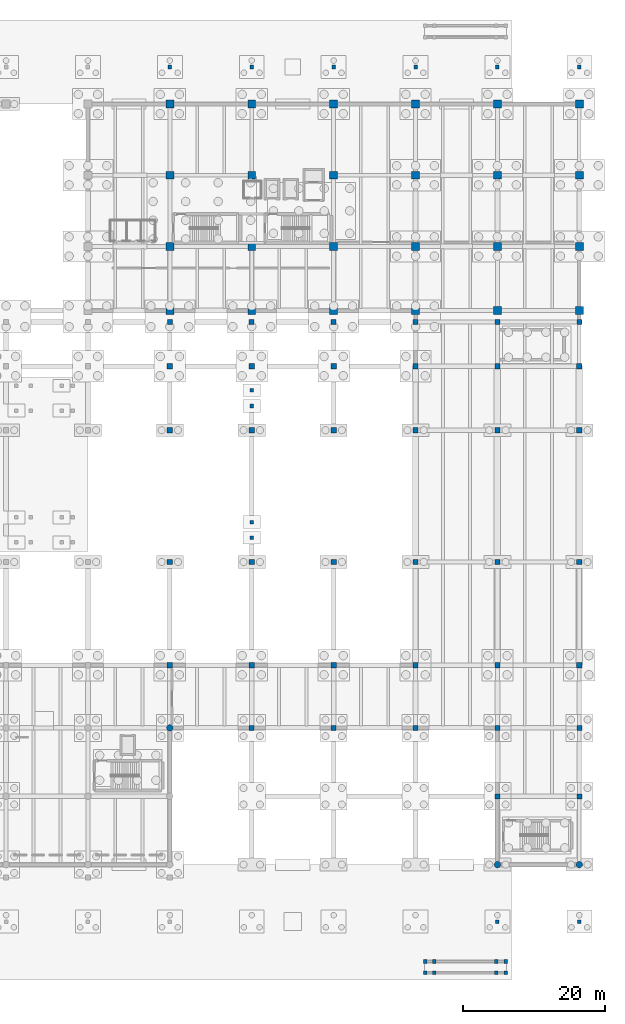
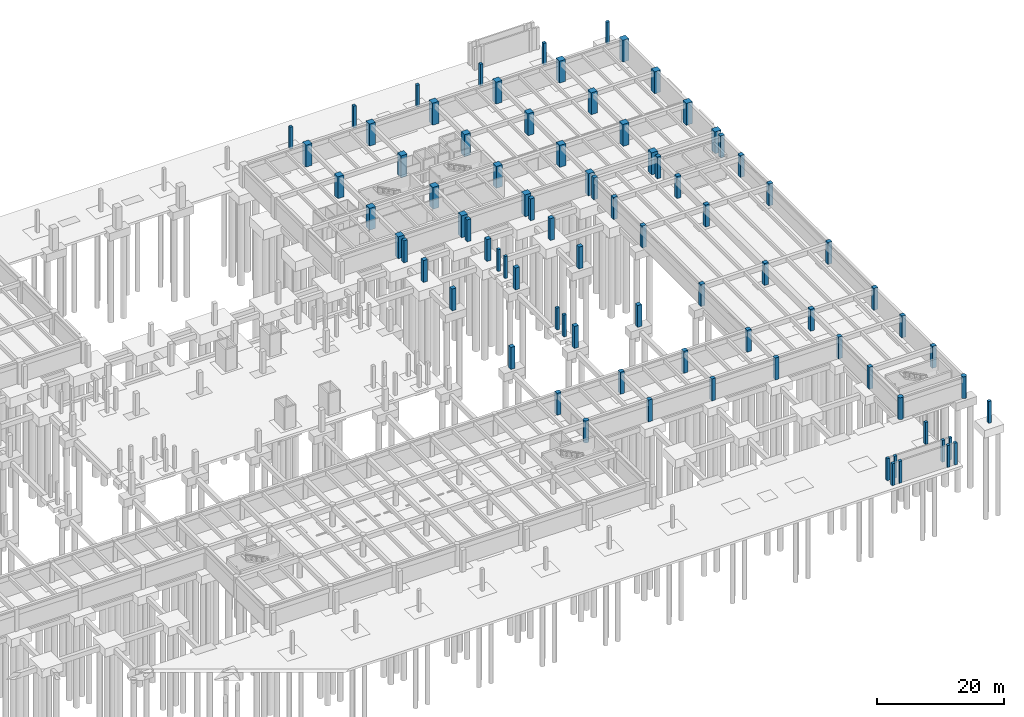
# One storey, part 9 of 28: 84 columns.
"""IFC4 building model written with IfcOpenShell, lengths in metres."""

from ifc_helpers import new_model, si_unit, direction, frame, origin, origin_2d, place, context, subcontext, project, spatial, rectangle, circle, extrude, material, material_profile, profile_set, type_object, element, save


model = new_model("IFC4")

# Units and contexts
model_context = context("Model", 3, precision=1e-05, world=origin(), true_north=direction((0.0, 1.0)))
body_context = subcontext(model_context, "Body", "Model", "MODEL_VIEW")
ifc_project = project(units=[si_unit("LENGTHUNIT", "METRE"), si_unit("AREAUNIT", "SQUARE_METRE"), si_unit("VOLUMEUNIT", "CUBIC_METRE"), si_unit("PLANEANGLEUNIT", "RADIAN"), si_unit("MASSUNIT", "GRAM", prefix="KILO")], contexts=[model_context])

# Site, building, storey
site_placement = place(None, origin())
site = spatial("IfcSite", under=ifc_project, at=site_placement, CompositionType="ELEMENT")
building_placement = place(site_placement, origin())
building = spatial("IfcBuilding", under=site, at=building_placement, Name="Ologun Quay Terminus", CompositionType="ELEMENT")
storey_placement = place(building_placement, frame((0.0, 0.0, -8.39990234375)))
storey = spatial("IfcBuildingStorey", under=building, at=storey_placement, Name="B02", CompositionType="ELEMENT", Elevation=-8.39990234375)

# Columns
ifc_material_1 = material(Name="Concrete C40/50", Category="concrete")
ifc_material_profile_1 = material_profile(ifc_material_1, rectangle(XDim=0.5, YDim=0.5, at=origin_2d()), Name="RC 500x500")
ifc_profile_set_1 = profile_set([ifc_material_profile_1], Name="Concrete C40/50")
column_type_1 = type_object("IfcColumnType", Name="Canopy Edge Column 500x500", PredefinedType="COLUMN", material=ifc_profile_set_1)
for number, where, z_axis, x_axis, name in (
    (1, (126.5, 120.0, 0.0), (0.0, 0.0, 1.0), (1.0, 0.0, 0.0), "C8 Column 12/L B02"),
    (2, (138.0, 120.0, 0.0), (0.0, 0.0, 1.0), (1.0, 0.0, 0.0), "C8 Column 13/L B02"),
    (3, (149.5, 120.0, 0.0), (0.0, 0.0, 1.0), (1.0, 0.0, 0.0), "C8 Column 14/L B02"),
    (4, (161.0, 120.0, 0.0), (0.0, 0.0, 1.0), (1.0, 0.0, 0.0), "C8 Column 15/L B02"),
    (5, (172.5, 0.0, 0.0), (0.0, 0.0, 1.0), (1.0, 0.0, 0.0), "C8 Column 16/A B02"),
    (6, (172.5, 120.0, 0.0), (0.0, 0.0, 1.0), (1.0, 0.0, 0.0), "C8 Column 16/L B02"),
    (7, (184.0, 0.0, 0.0), (0.0, 0.0, 1.0), (1.0, 0.0, 0.0), "C8 Column 17/A B02"),
    (8, (184.0, 120.0, 0.0), (0.0, 0.0, 1.0), (1.0, 0.0, 0.0), "C8 Column 17/L B02"),
    (9, (162.35009765625, -7.199951171875, 0.0), (0.0, 0.0, 1.0), (1.0, 0.0, 0.0), "C8 Ramp Landing Column 7WS B02"),
    (10, (162.35009765625, -5.60009765625, 0.0), (0.0, 0.0, 1.0), (1.0, 0.0, 0.0), "C8 Ramp Landing Column 7WN B02"),
    (11, (163.64990234375, -7.199951171875, 0.0), (0.0, 0.0, 1.0), (1.0, 0.0, 0.0), "C8 Ramp Landing Column 7ES B02"),
    (12, (163.64990234375, -5.60009765625, 0.0), (0.0, 0.0, 1.0), (1.0, 0.0, 0.0), "C8 Ramp Landing Column 7EN B02"),
    (13, (172.35009765625, -7.199951171875, 0.0), (0.0, 0.0, 1.0), (1.0, 0.0, 0.0), "C8 Ramp Landing Column 8WS B02"),
    (14, (172.35009765625, -5.60009765625, 0.0), (0.0, 0.0, 1.0), (1.0, 0.0, 0.0), "C8 Ramp Landing Column 8WN B02"),
    (15, (173.64990234375, -7.199951171875, 0.0), (0.0, 0.0, 1.0), (1.0, 0.0, 0.0), "C8 Ramp Landing Column 8ES B02"),
    (16, (173.64990234375, -5.60009765625, 0.0), (0.0, 0.0, 1.0), (1.0, 0.0, 0.0), "C8 Ramp Landing Column 8EN B02"),
    (17, (138.0, 53.89990234375, 0.0), (0.0, 0.0, 1.0), (1.0, 0.0, 0.0), "C8 Concourse Trimmer Column 13-1 B02"),
    (18, (138.0, 56.10009765625, 0.0), (0.0, 0.0, 1.0), (1.0, 0.0, 0.0), "C8 Concourse Trimmer Column 13-2 B02"),
    (19, (138.0, 72.39990234375, 0.0), (0.0, 0.0, 1.0), (1.0, 0.0, 0.0), "C8 Concourse Trimmer Column 13-3 B02"),
    (20, (138.0, 74.60009765625, 0.0), (0.0, 0.0, 1.0), (1.0, 0.0, 0.0), "C8 Concourse Trimmer Column 13-4 B02"),
):
    element("IfcColumn", number, at=place(storey_placement, frame(where, z_axis=z_axis, x_axis=x_axis)), inside=storey, type_object=column_type_1, Name=name, PredefinedType="COLUMN", context=body_context, shape_type="SweptSolid", body=[
        extrude(rectangle(XDim=0.5, YDim=0.5, at=origin_2d()), origin(), (0.0, 0.0, 1.0), 4.199951171875),
    ])
ifc_material_2 = material(Name="Concrete C45/55", Category="concrete")
ifc_material_profile_2 = material_profile(ifc_material_2, rectangle(XDim=1.10009765625, YDim=1.10009765625, at=origin_2d()), Name="RC 1100x1100")
ifc_profile_set_2 = profile_set([ifc_material_profile_2], Name="Concrete C45/55")
column_type_2 = type_object("IfcColumnType", Name="Courtyard Wing Lower Column 1100x1100", PredefinedType="COLUMN", material=ifc_profile_set_2)
for number, where, z_axis, x_axis, name in (
    (21, (126.5, 85.800048828125, 0.0), (0.0, 0.0, 1.0), (1.0, 0.0, 0.0), "C1 Column 12/G2 B02"),
    (22, (126.5, 94.800048828125, 0.0), (0.0, 0.0, 1.0), (1.0, 0.0, 0.0), "C1 Column 12/H B02"),
    (23, (126.5, 104.800048828125, 0.0), (0.0, 0.0, 1.0), (1.0, 0.0, 0.0), "C1 Column 12/J B02"),
    (24, (126.5, 114.800048828125, 0.0), (0.0, 0.0, 1.0), (1.0, 0.0, 0.0), "C1 Column 12/K B02"),
    (25, (138.0, 85.800048828125, 0.0), (0.0, 0.0, 1.0), (1.0, 0.0, 0.0), "C1 Column 13/G2 B02"),
    (26, (138.0, 94.800048828125, 0.0), (0.0, 0.0, 1.0), (1.0, 0.0, 0.0), "C1 Column 13/H B02"),
    (27, (138.0, 104.800048828125, 0.0), (0.0, 0.0, 1.0), (1.0, 0.0, 0.0), "C1 Column 13/J B02"),
    (28, (138.0, 114.800048828125, 0.0), (0.0, 0.0, 1.0), (1.0, 0.0, 0.0), "C1 Column 13/K B02"),
    (29, (149.5, 85.800048828125, 0.0), (0.0, 0.0, 1.0), (1.0, 0.0, 0.0), "C1 Column 14/G2 B02"),
    (30, (149.5, 94.800048828125, 0.0), (0.0, 0.0, 1.0), (1.0, 0.0, 0.0), "C1 Column 14/H B02"),
    (31, (149.5, 104.800048828125, 0.0), (0.0, 0.0, 1.0), (1.0, 0.0, 0.0), "C1 Column 14/J B02"),
    (32, (149.5, 114.800048828125, 0.0), (0.0, 0.0, 1.0), (1.0, 0.0, 0.0), "C1 Column 14/K B02"),
    (33, (161.0, 85.800048828125, 0.0), (0.0, 0.0, 1.0), (1.0, 0.0, 0.0), "C1 Column 15/G2 B02"),
    (34, (161.0, 94.800048828125, 0.0), (0.0, 0.0, 1.0), (1.0, 0.0, 0.0), "C1 Column 15/H B02"),
    (35, (161.0, 104.800048828125, 0.0), (0.0, 0.0, 1.0), (1.0, 0.0, 0.0), "C1 Column 15/J B02"),
    (36, (161.0, 114.800048828125, 0.0), (0.0, 0.0, 1.0), (1.0, 0.0, 0.0), "C1 Column 15/K B02"),
    (37, (172.5, 85.800048828125, 0.0), (0.0, 0.0, 1.0), (1.0, 0.0, 0.0), "C1 Column 16/G2 B02"),
    (38, (172.5, 94.800048828125, 0.0), (0.0, 0.0, 1.0), (1.0, 0.0, 0.0), "C1 Column 16/H B02"),
    (39, (172.5, 104.800048828125, 0.0), (0.0, 0.0, 1.0), (1.0, 0.0, 0.0), "C1 Column 16/J B02"),
    (40, (172.5, 114.800048828125, 0.0), (0.0, 0.0, 1.0), (1.0, 0.0, 0.0), "C1 Column 16/K B02"),
    (41, (184.0, 85.800048828125, 0.0), (0.0, 0.0, 1.0), (1.0, 0.0, 0.0), "C1 Column 17/G2 B02"),
    (42, (184.0, 94.800048828125, 0.0), (0.0, 0.0, 1.0), (1.0, 0.0, 0.0), "C1 Column 17/H B02"),
    (43, (184.0, 104.800048828125, 0.0), (0.0, 0.0, 1.0), (1.0, 0.0, 0.0), "C1 Column 17/J B02"),
    (44, (184.0, 114.800048828125, 0.0), (0.0, 0.0, 1.0), (1.0, 0.0, 0.0), "C1 Column 17/K B02"),
):
    element("IfcColumn", number, at=place(storey_placement, frame(where, z_axis=z_axis, x_axis=x_axis)), inside=storey, type_object=column_type_2, Name=name, PredefinedType="COLUMN", context=body_context, shape_type="SweptSolid", body=[
        extrude(rectangle(XDim=1.10009765625, YDim=1.10009765625, at=origin_2d()), origin(), (0.0, 0.0, 1.0), 4.199951171875),
    ])
ifc_material_3 = material(Name="Concrete C45/55", Category="concrete")
ifc_material_profile_3 = material_profile(ifc_material_3, rectangle(XDim=0.75, YDim=0.75, at=origin_2d()), Name="RC 750x750")
ifc_profile_set_3 = profile_set([ifc_material_profile_3], Name="Concrete C45/55")
column_type_3 = type_object("IfcColumnType", Name="Station Arch Pier Stem 750x750", PredefinedType="COLUMN", material=ifc_profile_set_3)
for number, where, z_axis, x_axis, name in (
    (45, (126.5, 36.0, 0.0), (0.0, 0.0, 1.0), (1.0, 0.0, 0.0), "C5 Column 12/E B02"),
    (46, (126.5, 78.0, 0.0), (0.0, 0.0, 1.0), (1.0, 0.0, 0.0), "C5 Column 12/F B02"),
    (47, (138.0, 36.0, 0.0), (0.0, 0.0, 1.0), (1.0, 0.0, 0.0), "C5 Column 13/E B02"),
    (48, (138.0, 78.0, 0.0), (0.0, 0.0, 1.0), (1.0, 0.0, 0.0), "C5 Column 13/F B02"),
    (49, (149.5, 36.0, 0.0), (0.0, 0.0, 1.0), (1.0, 0.0, 0.0), "C5 Column 14/E B02"),
    (50, (149.5, 78.0, 0.0), (0.0, 0.0, 1.0), (1.0, 0.0, 0.0), "C5 Column 14/F B02"),
    (51, (161.0, 36.0, 0.0), (0.0, 0.0, 1.0), (1.0, 0.0, 0.0), "C5 Column 15/E B02"),
    (52, (161.0, 78.0, 0.0), (0.0, 0.0, 1.0), (1.0, 0.0, 0.0), "C5 Column 15/F B02"),
    (53, (172.5, 36.0, 0.0), (0.0, 0.0, 1.0), (1.0, 0.0, 0.0), "C5 Column 16/E B02"),
    (54, (172.5, 78.0, 0.0), (0.0, 0.0, 1.0), (1.0, 0.0, 0.0), "C5 Column 16/F B02"),
    (55, (184.0, 36.0, 0.0), (0.0, 0.0, 1.0), (1.0, 0.0, 0.0), "C5 Column 17/E B02"),
    (56, (184.0, 78.0, 0.0), (0.0, 0.0, 1.0), (1.0, 0.0, 0.0), "C5 Column 17/F B02"),
    (57, (126.5, 50.5, 0.0), (0.0, 0.0, 1.0), (1.0, 0.0, 0.0), "C5 Track Substructure Column 12-Y50 B02"),
    (58, (126.5, 69.0, 0.0), (0.0, 0.0, 1.0), (1.0, 0.0, 0.0), "C5 Track Substructure Column 12-Y69 B02"),
    (59, (138.0, 50.5, 0.0), (0.0, 0.0, 1.0), (1.0, 0.0, 0.0), "C5 Track Substructure Column 13-Y50 B02"),
    (60, (138.0, 69.0, 0.0), (0.0, 0.0, 1.0), (1.0, 0.0, 0.0), "C5 Track Substructure Column 13-Y69 B02"),
    (61, (149.5, 50.5, 0.0), (0.0, 0.0, 1.0), (1.0, 0.0, 0.0), "C5 Track Substructure Column 14-Y50 B02"),
    (62, (149.5, 69.0, 0.0), (0.0, 0.0, 1.0), (1.0, 0.0, 0.0), "C5 Track Substructure Column 14-Y69 B02"),
    (63, (161.0, 50.5, 0.0), (0.0, 0.0, 1.0), (1.0, 0.0, 0.0), "C5 Track Substructure Column 15-Y50 B02"),
    (64, (161.0, 69.0, 0.0), (0.0, 0.0, 1.0), (1.0, 0.0, 0.0), "C5 Track Substructure Column 15-Y69 B02"),
    (65, (172.5, 50.5, 0.0), (0.0, 0.0, 1.0), (1.0, 0.0, 0.0), "C5 Track Substructure Column 16-Y50 B02"),
    (66, (172.5, 69.0, 0.0), (0.0, 0.0, 1.0), (1.0, 0.0, 0.0), "C5 Track Substructure Column 16-Y69 B02"),
    (67, (184.0, 50.5, 0.0), (0.0, 0.0, 1.0), (1.0, 0.0, 0.0), "C5 Track Substructure Column 17-Y50 B02"),
    (68, (184.0, 69.0, 0.0), (0.0, 0.0, 1.0), (1.0, 0.0, 0.0), "C5 Track Substructure Column 17-Y69 B02"),
):
    element("IfcColumn", number, at=place(storey_placement, frame(where, z_axis=z_axis, x_axis=x_axis)), inside=storey, type_object=column_type_3, Name=name, PredefinedType="COLUMN", context=body_context, shape_type="SweptSolid", body=[
        extrude(rectangle(XDim=0.75, YDim=0.75, at=origin_2d()), origin(), (0.0, 0.0, 1.0), 4.199951171875),
    ])
ifc_material_4 = material(Name="Concrete C40/50", Category="concrete")
ifc_material_profile_4 = material_profile(ifc_material_4, rectangle(XDim=0.699951171875, YDim=0.699951171875, at=origin_2d()), Name="RC 700x700")
ifc_profile_set_4 = profile_set([ifc_material_profile_4], Name="Concrete C40/50")
column_type_4 = type_object("IfcColumnType", Name="Station Concourse Column 700x700", PredefinedType="COLUMN", material=ifc_profile_set_4)
for number, where, z_axis, x_axis, name in (
    (69, (126.5, 84.199951171875, 0.0), (0.0, 0.0, 1.0), (1.0, 0.0, 0.0), "C6 Column 12/G1 B02"),
    (70, (138.0, 27.199951171875, 0.0), (0.0, 0.0, 1.0), (1.0, 0.0, 0.0), "C6 Column 13/D B02"),
    (71, (138.0, 84.199951171875, 0.0), (0.0, 0.0, 1.0), (1.0, 0.0, 0.0), "C6 Column 13/G1 B02"),
    (72, (149.5, 27.199951171875, 0.0), (0.0, 0.0, 1.0), (1.0, 0.0, 0.0), "C6 Column 14/D B02"),
    (73, (149.5, 84.199951171875, 0.0), (0.0, 0.0, 1.0), (1.0, 0.0, 0.0), "C6 Column 14/G1 B02"),
    (74, (161.0, 27.199951171875, 0.0), (0.0, 0.0, 1.0), (1.0, 0.0, 0.0), "C6 Column 15/D B02"),
    (75, (161.0, 84.199951171875, 0.0), (0.0, 0.0, 1.0), (1.0, 0.0, 0.0), "C6 Column 15/G1 B02"),
    (76, (172.5, 17.60009765625, 0.0), (0.0, 0.0, 1.0), (1.0, 0.0, 0.0), "C6 Column 16/C B02"),
    (77, (172.5, 27.199951171875, 0.0), (0.0, 0.0, 1.0), (1.0, 0.0, 0.0), "C6 Column 16/D B02"),
    (78, (172.5, 84.199951171875, 0.0), (0.0, 0.0, 1.0), (1.0, 0.0, 0.0), "C6 Column 16/G1 B02"),
    (79, (184.0, 17.60009765625, 0.0), (0.0, 0.0, 1.0), (1.0, 0.0, 0.0), "C6 Column 17/C B02"),
    (80, (184.0, 27.199951171875, 0.0), (0.0, 0.0, 1.0), (1.0, 0.0, 0.0), "C6 Column 17/D B02"),
    (81, (184.0, 84.199951171875, 0.0), (0.0, 0.0, 1.0), (1.0, 0.0, 0.0), "C6 Column 17/G1 B02"),
):
    element("IfcColumn", number, at=place(storey_placement, frame(where, z_axis=z_axis, x_axis=x_axis)), inside=storey, type_object=column_type_4, Name=name, PredefinedType="COLUMN", context=body_context, shape_type="SweptSolid", body=[
        extrude(rectangle(XDim=0.699951171875, YDim=0.699951171875, at=origin_2d()), origin(), (0.0, 0.0, 1.0), 4.199951171875),
    ])
ifc_material_5 = material(Name="Concrete C45/55", Category="concrete")
ifc_material_profile_5 = material_profile(ifc_material_5, circle(Radius=0.449951171875, at=origin_2d()), Name="RC D900")
ifc_profile_set_5 = profile_set([ifc_material_profile_5], Name="Concrete C45/55")
column_type_5 = type_object("IfcColumnType", Name="Ticket Hall Sculpted Circular Column D900", PredefinedType="COLUMN", material=ifc_profile_set_5)
for number, where, z_axis, x_axis, name in (
    (82, (126.5, 27.199951171875, 0.0), (0.0, 0.0, 1.0), (1.0, 0.0, 0.0), "C9 Column 12/D B02"),
    (83, (172.5, 8.0, 0.0), (0.0, 0.0, 1.0), (1.0, 0.0, 0.0), "C9 Column 16/B B02"),
    (84, (184.0, 8.0, 0.0), (0.0, 0.0, 1.0), (1.0, 0.0, 0.0), "C9 Column 17/B B02"),
):
    element("IfcColumn", number, at=place(storey_placement, frame(where, z_axis=z_axis, x_axis=x_axis)), inside=storey, type_object=column_type_5, Name=name, PredefinedType="COLUMN", context=body_context, shape_type="SweptSolid", body=[
        extrude(circle(Radius=0.449951171875, at=origin_2d()), origin(), (0.0, 0.0, 1.0), 4.199951171875),
    ])

save(model, "model.ifc")
